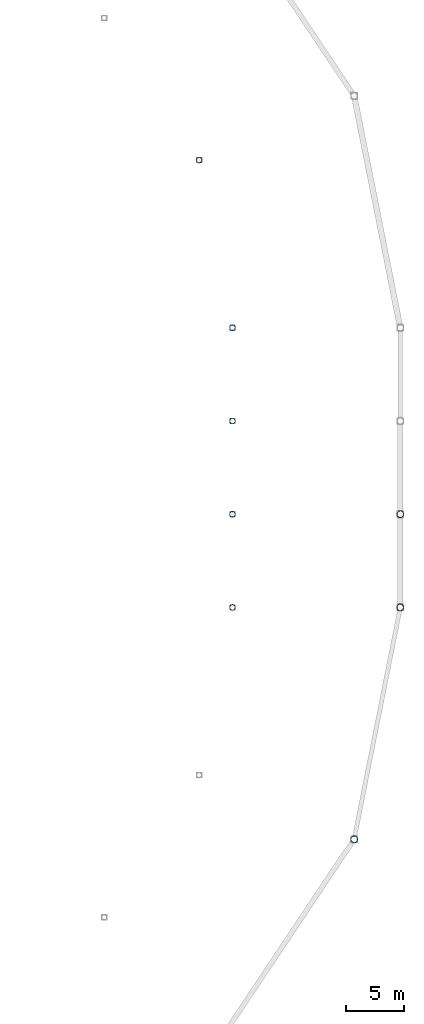
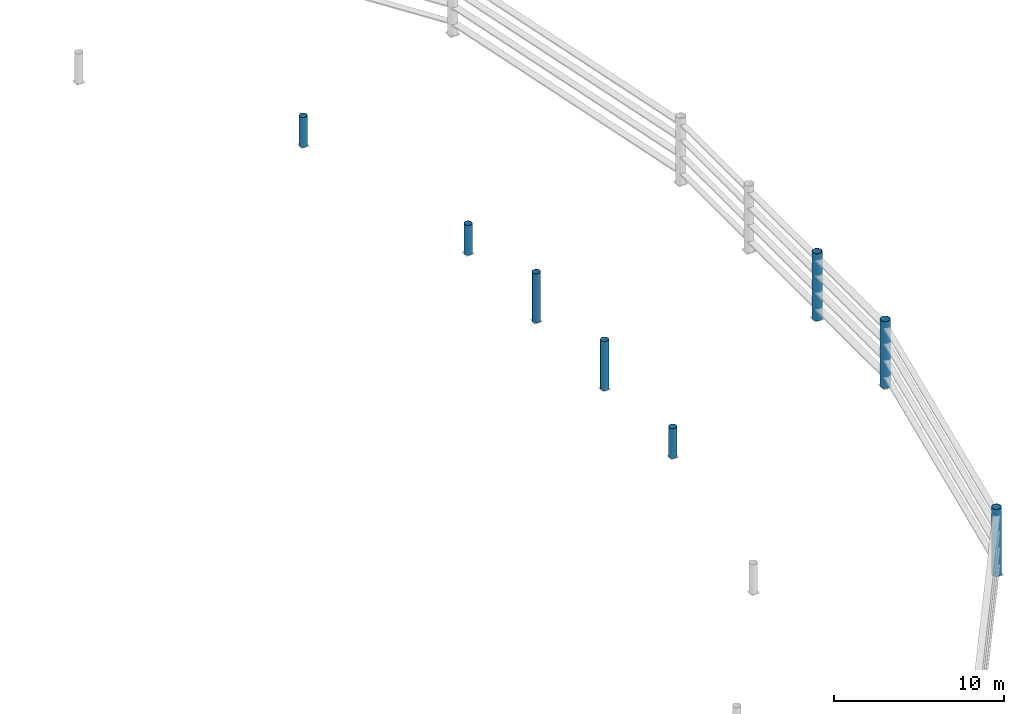
# One storey, part 12 of 29: 8 columns.
"""IFC4 building model written with IfcOpenShell, lengths in metres."""

from ifc_helpers import new_model, si_unit, direction, frame, origin, origin_2d, place, context, subcontext, project, spatial, hollow_circle, extrude, material, material_profile, profile_set, type_object, element, save


model = new_model("IFC4")

# Units and contexts
model_context = context("Model", 3, precision=1e-05, world=origin(), true_north=direction((0.0, 1.0)))
body_context = subcontext(model_context, "Body", "Model", "MODEL_VIEW")
ifc_project = project(units=[si_unit("LENGTHUNIT", "METRE"), si_unit("AREAUNIT", "SQUARE_METRE"), si_unit("VOLUMEUNIT", "CUBIC_METRE"), si_unit("PLANEANGLEUNIT", "RADIAN"), si_unit("MASSUNIT", "GRAM", prefix="KILO")], contexts=[model_context])

# Site, building, storey
site_placement = place(None, origin())
site = spatial("IfcSite", under=ifc_project, at=site_placement, CompositionType="ELEMENT")
building_placement = place(site_placement, origin())
building = spatial("IfcBuilding", under=site, at=building_placement, Name="Candeia Ridge Stadium", CompositionType="ELEMENT")
storey_placement = place(building_placement, frame((0.0, 0.0, 27.0)))
storey = spatial("IfcBuildingStorey", under=building, at=storey_placement, Name="L05", CompositionType="ELEMENT", Elevation=27.0)

# Columns
ifc_material = material(Name="Steel ASTM A572 Grade 50", Category="steel")
ifc_material_profile_1 = material_profile(ifc_material, hollow_circle(Radius=0.25390625, WallThickness=0.02197265625, at=origin_2d()), Name="CHS508x22", Category="steel")
ifc_profile_set_1 = profile_set([ifc_material_profile_1], Name="Steel ASTM A572 Grade 50")
column_type_1 = type_object("IfcColumnType", Name="Roof Inner Mast CHS508x22", PredefinedType="PILASTER", material=ifc_profile_set_1)
column_placement = place(storey_placement, frame((178.60009765625, 71.0, 0.0), z_axis=(0.0, 0.0, 1.0), x_axis=(1.0, 0.0, 0.0)))
element("IfcColumn", 1, at=column_placement, inside=storey, type_object=column_type_1, Name="Roof truss steel mast column BC-MD-29 L05", PredefinedType="PILASTER", context=body_context, shape_type="SweptSolid", body=[
    extrude(hollow_circle(Radius=0.25390625, WallThickness=0.02197265625, at=origin_2d()), origin(), (0.0, 0.0, 1.0), 2.135986328125),
])
for number, where, z_axis, x_axis, name in (
    (2, (178.60009765625, 79.0, 0.0), (0.0, 0.0, 1.0), (1.0, 0.0, 0.0), "Roof truss steel mast column BC-MD-30 L05"),
    (3, (178.60009765625, 87.0, 0.0), (0.0, 0.0, 1.0), (1.0, 0.0, 0.0), "Roof truss steel mast column BC-MD-31 L05"),
):
    element("IfcColumn", number, at=place(storey_placement, frame(where, z_axis=z_axis, x_axis=x_axis)), inside=storey, type_object=column_type_1, Name=name, PredefinedType="PILASTER", context=body_context, shape_type="SweptSolid", body=[
        extrude(hollow_circle(Radius=0.25390625, WallThickness=0.02197265625, at=origin_2d()), origin(), (0.0, 0.0, 1.0), 3.521484375),
    ])
for number, where, z_axis, x_axis, name in (
    (4, (178.60009765625, 95.0, 0.0), (0.0, 0.0, 1.0), (1.0, 0.0, 0.0), "Roof truss steel mast column BC-MD-32 L05"),
    (5, (175.73779296875, 109.388916015625, 0.0), (0.0, 0.0, 1.0), (1.0, 0.0, 0.0), "Roof truss steel mast column BC-MD-33 L05"),
):
    element("IfcColumn", number, at=place(storey_placement, frame(where, z_axis=z_axis, x_axis=x_axis)), inside=storey, type_object=column_type_1, Name=name, PredefinedType="PILASTER", context=body_context, shape_type="SweptSolid", body=[
        extrude(hollow_circle(Radius=0.25390625, WallThickness=0.02197265625, at=origin_2d()), origin(), (0.0, 0.0, 1.0), 2.135986328125),
    ])
ifc_material_profile_2 = material_profile(ifc_material, hollow_circle(Radius=0.304931640625, WallThickness=0.02490234375, at=origin_2d()), Name="CHS610x25", Category="steel")
ifc_profile_set_2 = profile_set([ifc_material_profile_2], Name="Steel ASTM A572 Grade 50")
column_type_2 = type_object("IfcColumnType", Name="Roof Mast Column CHS610x25", PredefinedType="PILASTER", material=ifc_profile_set_2)
for number, where, z_axis, x_axis, name in (
    (6, (189.041748046875, 51.100341796875, 0.0), (0.0, 0.0, 1.0), (1.0, 0.0, 0.0), "Roof truss steel mast column BC-OU-28 L05"),
    (7, (193.0, 71.0, 0.0), (0.0, 0.0, 1.0), (1.0, 0.0, 0.0), "Roof truss steel mast column BC-OU-29 L05"),
    (8, (193.0, 79.0, 0.0), (0.0, 0.0, 1.0), (1.0, 0.0, 0.0), "Roof truss steel mast column BC-OU-30 L05"),
):
    element("IfcColumn", number, at=place(storey_placement, frame(where, z_axis=z_axis, x_axis=x_axis)), inside=storey, type_object=column_type_2, Name=name, PredefinedType="PILASTER", context=body_context, shape_type="SweptSolid", body=[
        extrude(hollow_circle(Radius=0.304931640625, WallThickness=0.02490234375, at=origin_2d()), origin(), (0.0, 0.0, 1.0), 4.800048828125),
    ])

save(model, "model.ifc")
